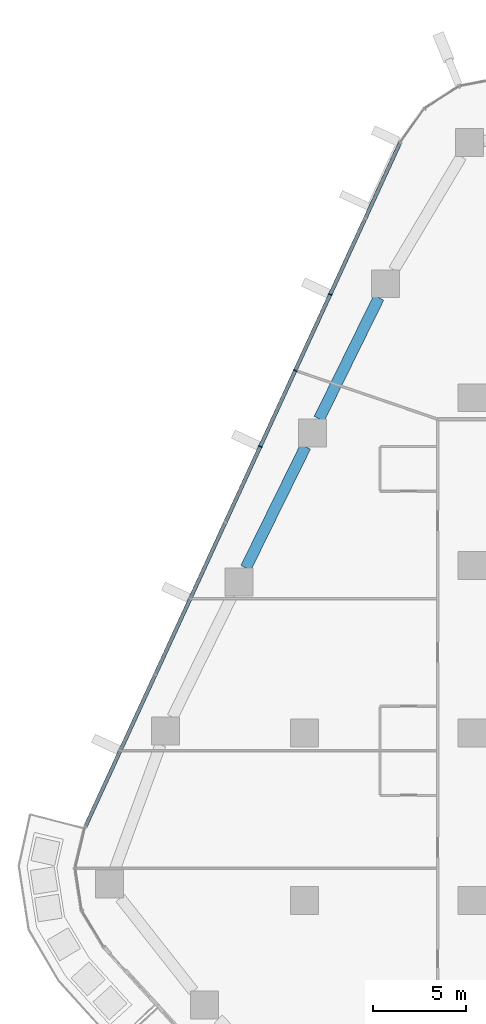
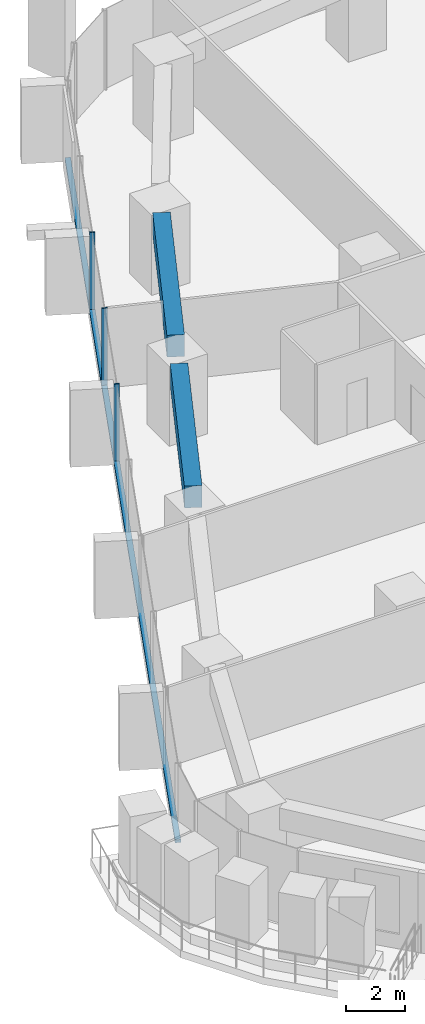
# One storey, part 6 of 26: 4 members, 2 beams, 1 element without a shape of its own.
"""IFC4 building model written with IfcOpenShell, lengths in metres."""

from ifc_helpers import new_model, si_unit, direction, frame, origin, origin_2d, place, context, subcontext, project, spatial, rectangle, extrude, material, layer, layer_set, material_profile, profile_set, type_object, element, aggregate, save


model = new_model("IFC4")

# Units and contexts
model_context = context("Model", 3, precision=1e-05, world=origin(), true_north=direction((0.0, 1.0)))
body_context = subcontext(model_context, "Body", "Model", "MODEL_VIEW")
ifc_project = project(units=[si_unit("LENGTHUNIT", "METRE"), si_unit("AREAUNIT", "SQUARE_METRE"), si_unit("VOLUMEUNIT", "CUBIC_METRE"), si_unit("PLANEANGLEUNIT", "RADIAN"), si_unit("MASSUNIT", "GRAM", prefix="KILO")], contexts=[model_context])

# Site, building, storey
site_placement = place(None, origin())
site = spatial("IfcSite", under=ifc_project, at=site_placement, CompositionType="ELEMENT")
building_placement = place(site_placement, origin())
building = spatial("IfcBuilding", under=site, at=building_placement, Name="Dongbaek Canopy Tower", CompositionType="ELEMENT")
storey_placement = place(building_placement, frame((0.0, 0.0, 66.199951171875)))
storey = spatial("IfcBuildingStorey", under=building, at=storey_placement, Name="L12", CompositionType="ELEMENT", Elevation=66.199951171875)

# Curtain wall, members
ifc_material_1 = material(Name="Aluminium 6063-T6 pale anodised", Category="aluminium")
ifc_layer = layer(ifc_material_1, 0.199951171875)
ifc_layer_set = layer_set([ifc_layer], Name="CW-1 unitised tower curtain wall")
curtain_wall_type = type_object("IfcCurtainWallType", Name="CW-1 unitised tower curtain wall", PredefinedType="NOTDEFINED", material=ifc_layer_set)
curtain_wall_placement = place(storey_placement, origin())
curtain_wall = element("IfcCurtainWall", 1, at=curtain_wall_placement, inside=storey, type_object=curtain_wall_type, Name="CW-1 curtain wall F2.1", PredefinedType="NOTDEFINED")
ifc_material_2 = material(Name="Aluminium 6063-T6 pale anodised", Category="aluminium")
ifc_material_profile_1 = material_profile(ifc_material_2, rectangle(XDim=0.199951171875, YDim=0.06005859375, at=origin_2d()), Name="CW-1 mullion 60 x 200")
ifc_profile_set_1 = profile_set([ifc_material_profile_1], Name="Aluminium 6063-T6 pale anodised")
member_type_1 = type_object("IfcMemberType", Name="CW-1 mullion 60 x 200", PredefinedType="MULLION", material=ifc_profile_set_1)
member_1_placement = place(storey_placement, frame((-25.623046875, 23.5498046875, 0.1201171875), z_axis=(0.0, 0.0, 1.0), x_axis=(-0.908435687115, 0.418024643264, 0.0)))
member_1 = element("IfcMember", 2, at=member_1_placement, type_object=member_type_1, Name="CW-1 mullion F2.1.3", PredefinedType="MULLION", context=body_context, shape_type="SweptSolid", body=[
    extrude(rectangle(XDim=0.199951171875, YDim=0.06005859375, at=origin_2d()), origin(), (0.0, 0.0, 1.0), 3.179931640625),
])
member_2_placement = place(storey_placement, frame((-27.502685546875, 19.465087890625, 0.1201171875), z_axis=(0.0, 0.0, 1.0), x_axis=(-0.908435687115, 0.418024643264, 0.0)))
member_2 = element("IfcMember", 3, at=member_2_placement, type_object=member_type_1, Name="CW-1 mullion F2.1.4", PredefinedType="MULLION", context=body_context, shape_type="SweptSolid", body=[
    extrude(rectangle(XDim=0.199951171875, YDim=0.06005859375, at=origin_2d()), origin(), (0.0, 0.0, 1.0), 3.179931640625),
])
member_3_placement = place(storey_placement, frame((-29.38232421875, 15.380126953125, 0.1201171875), z_axis=(0.0, 0.0, 1.0), x_axis=(-0.908435687115, 0.418024643264, 0.0)))
member_3 = element("IfcMember", 4, at=member_3_placement, type_object=member_type_1, Name="CW-1 mullion F2.1.5", PredefinedType="MULLION", context=body_context, shape_type="SweptSolid", body=[
    extrude(rectangle(XDim=0.199951171875, YDim=0.06005859375, at=origin_2d()), origin(), (0.0, 0.0, 1.0), 3.179931640625),
])
ifc_material_3 = material(Name="Aluminium 6063-T6 pale anodised", Category="aluminium")
ifc_material_profile_2 = material_profile(ifc_material_3, rectangle(XDim=0.199951171875, YDim=0.1201171875, at=origin_2d()), Name="CW-1 transom 120 x 200")
ifc_profile_set_2 = profile_set([ifc_material_profile_2], Name="Aluminium 6063-T6 pale anodised")
member_type_2 = type_object("IfcMemberType", Name="CW-1 transom 120 x 200", PredefinedType="USERDEFINED", material=ifc_profile_set_2)
member_4_placement = place(storey_placement, frame((-21.86767578125, 31.7109375, 0.06005859375), z_axis=(-0.418022571497, -0.908436640454, 0.0), x_axis=(0.908436640454, -0.418022571497, 0.0)))
member_4 = element("IfcMember", 5, at=member_4_placement, type_object=member_type_2, Name="CW-1 transom F2.1.1", ObjectType="TRANSOM", PredefinedType="USERDEFINED", context=body_context, shape_type="SweptSolid", body=[
    extrude(rectangle(XDim=0.199951171875, YDim=0.1201171875, at=origin_2d()), origin(), (0.0, 0.0, 1.0), 40.44970703125),
])
aggregate(curtain_wall, [member_1, member_2, member_3, member_4])

# Beams
ifc_material_4 = material(Name="Concrete C80", Category="concrete")
ifc_material_profile_3 = material_profile(ifc_material_4, rectangle(XDim=0.60009765625, YDim=0.89990234375, at=origin_2d()), Name="RC EDGE BEAM 600x900 C80")
ifc_profile_set_3 = profile_set([ifc_material_profile_3], Name="Concrete C80")
beam_type = type_object("IfcBeamType", Name="RC EDGE BEAM 600x900 C80", PredefinedType="BEAM", material=ifc_profile_set_3)
for number, where, z_axis, x_axis, name in (
    (6, (-30.156005859375, 8.861083984375, 2.85009765625), (0.441413427837, 0.897303842477, 0.0), (-0.897303842477, 0.441413427837, 0.0), "EDGEBEAM:L12:10"),
    (7, (-26.217041015625, 16.867919921875, 2.85009765625), (0.441318766596, 0.897350403271, 0.0), (-0.897350403271, 0.441318766596, 0.0), "EDGEBEAM:L12:11"),
):
    element("IfcBeam", number, at=place(storey_placement, frame(where, z_axis=z_axis, x_axis=x_axis)), inside=storey, type_object=beam_type, Name=name, PredefinedType="BEAM", context=body_context, shape_type="SweptSolid", body=[
        extrude(rectangle(XDim=0.60009765625, YDim=0.89990234375, at=origin_2d()), origin(), (0.0, 0.0, 1.0), 7.25146484375),
    ])

save(model, "model.ifc")
